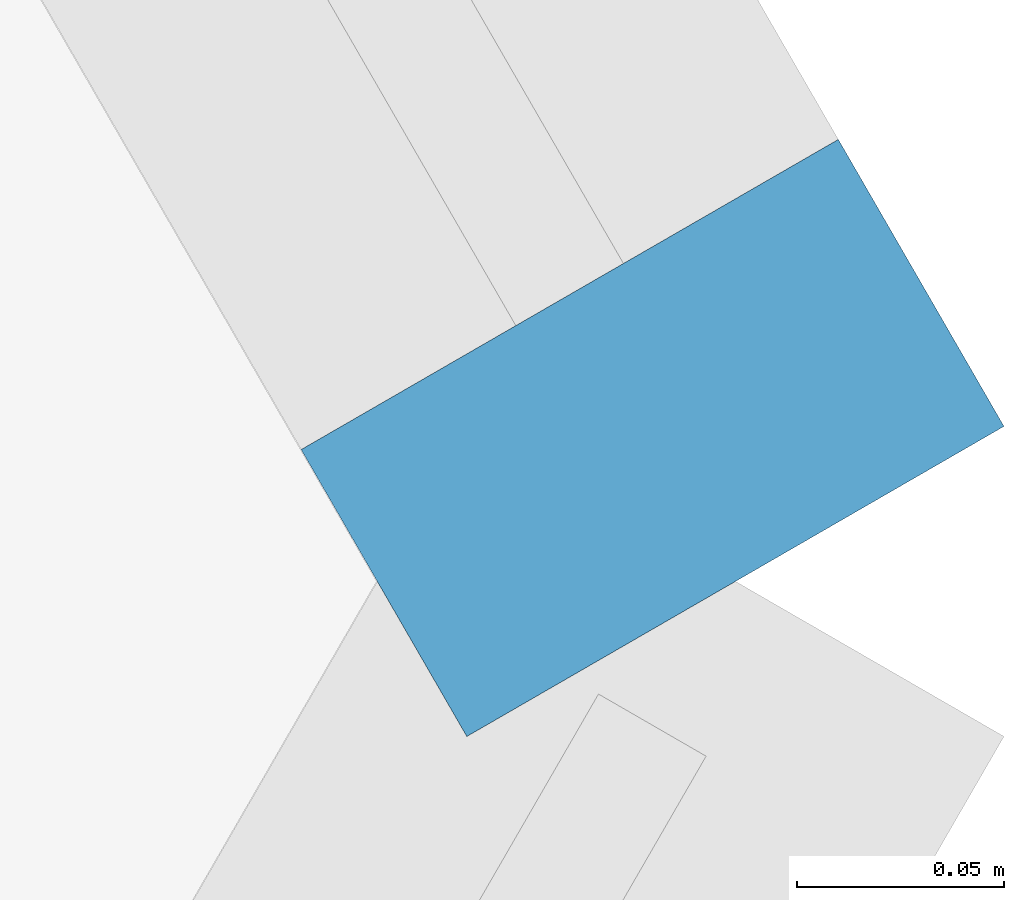
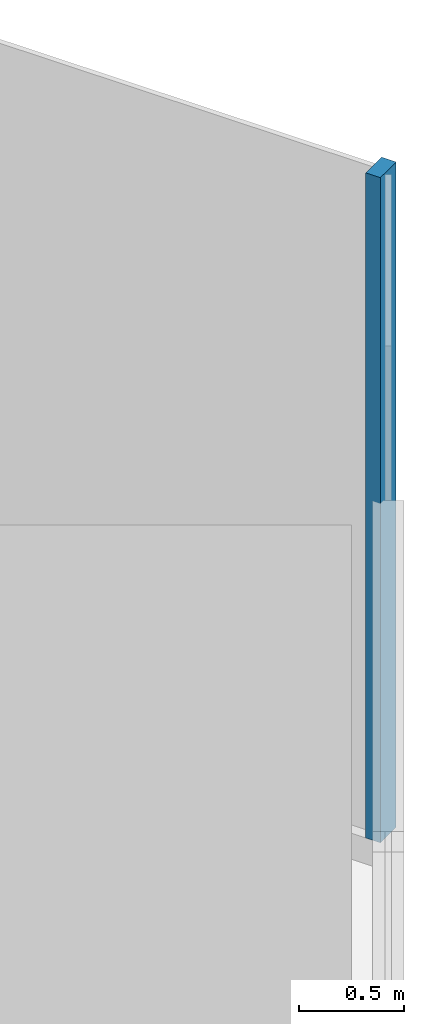
# One storey, part 12 of 21: 1 member, 1 element without a shape of its own.
"""IFC4 building model written with IfcOpenShell, lengths in metres."""

from ifc_helpers import new_model, si_unit, direction, frame, origin, origin_2d, place, context, subcontext, project, spatial, rectangle, extrude, material, layer, layer_set, material_profile, profile_set, type_object, element, aggregate, save


model = new_model("IFC4")

# Units and contexts
model_context = context("Model", 3, precision=1e-05, world=origin(), true_north=direction((0.0, 1.0)))
body_context = subcontext(model_context, "Body", "Model", "MODEL_VIEW")
ifc_project = project(units=[si_unit("LENGTHUNIT", "METRE"), si_unit("AREAUNIT", "SQUARE_METRE"), si_unit("VOLUMEUNIT", "CUBIC_METRE"), si_unit("PLANEANGLEUNIT", "RADIAN"), si_unit("MASSUNIT", "GRAM", prefix="KILO")], contexts=[model_context])

# Site, building, storey
site_placement = place(None, origin())
site = spatial("IfcSite", under=ifc_project, at=site_placement, CompositionType="ELEMENT")
building_placement = place(site_placement, origin())
building = spatial("IfcBuilding", under=site, at=building_placement, Name="Firuza Gate Tower and Library", CompositionType="ELEMENT")
storey_placement = place(building_placement, frame((0.0, 0.0, 69.39990234375)))
storey = spatial("IfcBuildingStorey", under=building, at=storey_placement, Name="L15", CompositionType="ELEMENT", Elevation=69.39990234375)

# Curtain wall, member
ifc_material_1 = material(Name="Aluminium 6063-T6", Category="aluminium")
ifc_layer = layer(ifc_material_1, 0.14990234375)
ifc_layer_set = layer_set([ifc_layer], Name="Unitised curtain wall, offices")
curtain_wall_type = type_object("IfcCurtainWallType", Name="Unitised curtain wall, offices", PredefinedType="NOTDEFINED", material=ifc_layer_set)
curtain_wall_placement = place(storey_placement, origin())
curtain_wall = element("IfcCurtainWall", 1, at=curtain_wall_placement, inside=storey, type_object=curtain_wall_type, Name="CW1 L15 E face", PredefinedType="NOTDEFINED")
ifc_material_2 = material(Name="Aluminium 6063-T6", Category="aluminium")
ifc_material_profile = material_profile(ifc_material_2, rectangle(XDim=0.14990234375, YDim=0.080078125, at=origin_2d()))
ifc_profile_set = profile_set([ifc_material_profile], Name="Aluminium 6063-T6")
member_type = type_object("IfcMemberType", Name="Curtain wall mullion 80x150", PredefinedType="MULLION", material=ifc_profile_set)
member_placement = place(storey_placement, frame((107.12255859375, 60.68408203125, 0.150146484375), z_axis=(0.0, 0.0, 1.0), x_axis=(-0.866025403784, -0.5, 0.0)))
member = element("IfcMember", 2, at=member_placement, type_object=member_type, Name="Mullion", PredefinedType="MULLION", context=body_context, shape_type="SweptSolid", body=[
    extrude(rectangle(XDim=0.14990234375, YDim=0.080078125, at=origin_2d()), origin(), (0.0, 0.0, 1.0), 3.849853515625),
])
aggregate(curtain_wall, [member])

save(model, "model.ifc")
